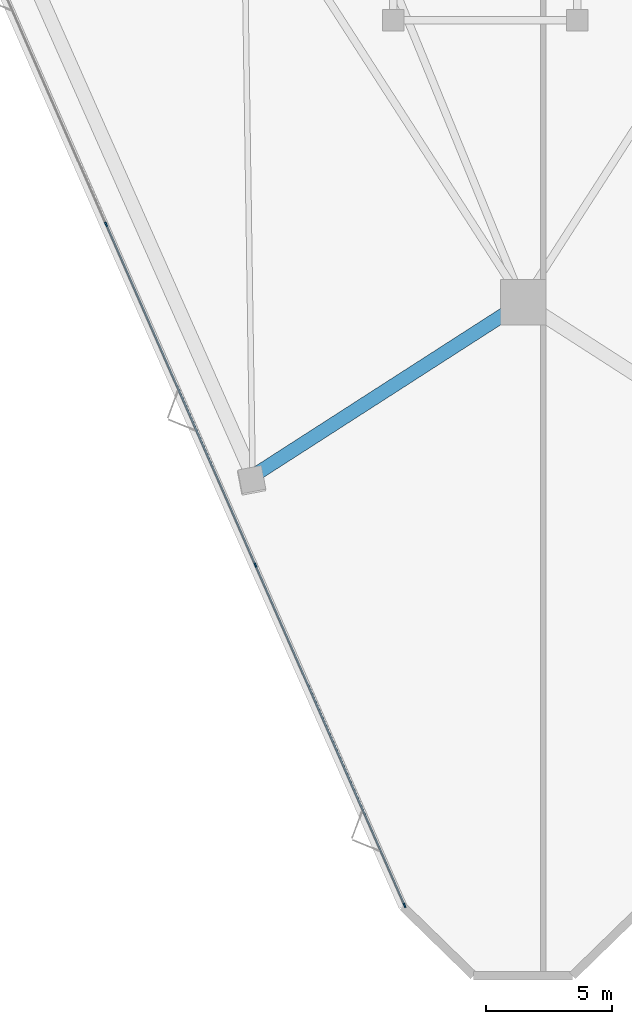
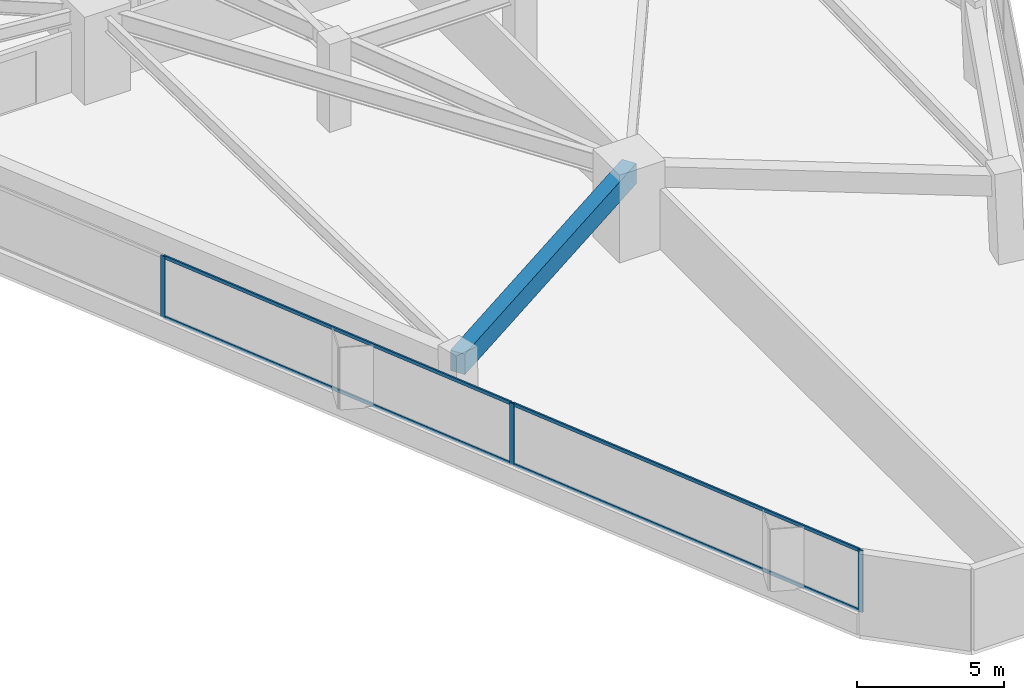
# One storey, part 2 of 20: 7 members, 1 beam, 1 element without a shape of its own.
"""IFC4 building model written with IfcOpenShell, lengths in metres."""

from ifc_helpers import new_model, si_unit, direction, frame, origin, origin_2d, place, context, subcontext, project, spatial, rectangle, extrude, material, layer, layer_set, material_profile, profile_set, type_object, element, aggregate, save


model = new_model("IFC4")

# Units and contexts
model_context = context("Model", 3, precision=1e-05, world=origin(), true_north=direction((0.0, 1.0)))
body_context = subcontext(model_context, "Body", "Model", "MODEL_VIEW")
ifc_project = project(units=[si_unit("LENGTHUNIT", "METRE"), si_unit("AREAUNIT", "SQUARE_METRE"), si_unit("VOLUMEUNIT", "CUBIC_METRE"), si_unit("PLANEANGLEUNIT", "RADIAN"), si_unit("MASSUNIT", "GRAM", prefix="KILO")], contexts=[model_context])

# Site, building, storey
site_placement = place(None, origin())
site = spatial("IfcSite", under=ifc_project, at=site_placement, CompositionType="ELEMENT")
building_placement = place(site_placement, origin())
building = spatial("IfcBuilding", under=site, at=building_placement, Name="Talyreon Biosciences Tower", CompositionType="ELEMENT")
storey_placement = place(building_placement, frame((0.0, 0.0, 30.10009765625)))
storey = spatial("IfcBuildingStorey", under=building, at=storey_placement, Name="L07", CompositionType="ELEMENT", Elevation=30.10009765625)

# Curtain wall, members
ifc_material_1 = material(Name="Thermally broken aluminium and low-E glazing", Category="aluminium")
ifc_layer = layer(ifc_material_1, 0.195068359375)
ifc_layer_set = layer_set([ifc_layer], Name="Thermally broken aluminium and low-E glazing")
curtain_wall_type = type_object("IfcCurtainWallType", Name="CurtainWall_Zone1WetLab", PredefinedType="NOTDEFINED", material=ifc_layer_set)
curtain_wall_placement = place(storey_placement, origin())
curtain_wall = element("IfcCurtainWall", 1, at=curtain_wall_placement, inside=storey, type_object=curtain_wall_type, Name="L07 Unitised Curtain Wall FCW-L07-00", PredefinedType="NOTDEFINED")
ifc_material_2 = material(Name="Anodised thermally broken aluminium", Category="aluminium")
ifc_material_profile_1 = material_profile(ifc_material_2, rectangle(XDim=0.06494140625, YDim=0.179931640625, at=origin_2d()), Name="ALUM MULLION 65x180")
ifc_profile_set_1 = profile_set([ifc_material_profile_1], Name="Anodised thermally broken aluminium")
member_type_1 = type_object("IfcMemberType", Name="CWMullion_65x180", PredefinedType="MULLION", material=ifc_profile_set_1)
member_1_placement = place(storey_placement, frame((61.29736328125, 17.751220703125, 0.809814453125), z_axis=(0.0, 0.0, 1.0), x_axis=(-0.915926900592, -0.401345129249, 0.0)))
member_1 = element("IfcMember", 2, at=member_1_placement, type_object=member_type_1, Name="CW2 mullion 1", PredefinedType="MULLION", context=body_context, shape_type="SweptSolid", body=[
    extrude(rectangle(XDim=0.06494140625, YDim=0.179931640625, at=origin_2d()), origin(), (0.0, 0.0, 1.0), 2.565185546875),
])
member_2_placement = place(storey_placement, frame((55.38818359375, 31.237060546875, 0.809814453125), z_axis=(0.0, 0.0, 1.0), x_axis=(-0.915926900592, -0.401345129249, 0.0)))
member_2 = element("IfcMember", 3, at=member_2_placement, type_object=member_type_1, Name="CW2 mullion 2", PredefinedType="MULLION", context=body_context, shape_type="SweptSolid", body=[
    extrude(rectangle(XDim=0.06494140625, YDim=0.179931640625, at=origin_2d()), origin(), (0.0, 0.0, 1.0), 2.565185546875),
])
member_3_placement = place(storey_placement, frame((49.4658203125, 44.752685546875, 0.809814453125), z_axis=(0.0, 0.0, 1.0), x_axis=(-0.915926900592, -0.401345129249, 0.0)))
member_3 = element("IfcMember", 4, at=member_3_placement, type_object=member_type_1, Name="CW2 mullion 3", PredefinedType="MULLION", context=body_context, shape_type="SweptSolid", body=[
    extrude(rectangle(XDim=0.06494140625, YDim=0.179931640625, at=origin_2d()), origin(), (0.0, 0.0, 1.0), 2.565185546875),
])
ifc_material_profile_2 = material_profile(ifc_material_2, rectangle(XDim=0.06494140625, YDim=0.139892578125, at=origin_2d()), Name="ALUM TRANSOM 65x140")
ifc_profile_set_2 = profile_set([ifc_material_profile_2], Name="Anodised thermally broken aluminium")
member_type_2 = type_object("IfcMemberType", Name="CWTransom_65x140", PredefinedType="USERDEFINED", material=ifc_profile_set_2)
member_4_placement = place(storey_placement, frame((61.284423828125, 17.781005859375, 0.84228515625), z_axis=(-0.401351725582, 0.915924010152, 0.0), x_axis=(-0.915924010152, -0.401351725582, 0.0)))
member_4 = element("IfcMember", 5, at=member_4_placement, type_object=member_type_2, Name="CW2 transom 1.1", ObjectType="TRANSOM", PredefinedType="USERDEFINED", context=body_context, shape_type="SweptSolid", body=[
    extrude(rectangle(XDim=0.06494140625, YDim=0.139892578125, at=origin_2d()), origin(), (0.0, 0.0, 1.0), 14.65869140625),
])
member_5_placement = place(storey_placement, frame((61.284423828125, 17.781005859375, 3.34228515625), z_axis=(-0.401351725582, 0.915924010152, 0.0), x_axis=(-0.915924010152, -0.401351725582, 0.0)))
member_5 = element("IfcMember", 6, at=member_5_placement, type_object=member_type_2, Name="CW2 transom 1.2", ObjectType="TRANSOM", PredefinedType="USERDEFINED", context=body_context, shape_type="SweptSolid", body=[
    extrude(rectangle(XDim=0.06494140625, YDim=0.139892578125, at=origin_2d()), origin(), (0.0, 0.0, 1.0), 14.65869140625),
])
member_6_placement = place(storey_placement, frame((55.375244140625, 31.266845703125, 0.84228515625), z_axis=(-0.401345318485, 0.915926817672, 0.0), x_axis=(-0.915926817672, -0.401345318485, 0.0)))
member_6 = element("IfcMember", 7, at=member_6_placement, type_object=member_type_2, Name="CW2 transom 2.1", ObjectType="TRANSOM", PredefinedType="USERDEFINED", context=body_context, shape_type="SweptSolid", body=[
    extrude(rectangle(XDim=0.06494140625, YDim=0.139892578125, at=origin_2d()), origin(), (0.0, 0.0, 1.0), 14.691162109375),
])
member_7_placement = place(storey_placement, frame((55.375244140625, 31.266845703125, 3.34228515625), z_axis=(-0.401345318485, 0.915926817672, 0.0), x_axis=(-0.915926817672, -0.401345318485, 0.0)))
member_7 = element("IfcMember", 8, at=member_7_placement, type_object=member_type_2, Name="CW2 transom 2.2", ObjectType="TRANSOM", PredefinedType="USERDEFINED", context=body_context, shape_type="SweptSolid", body=[
    extrude(rectangle(XDim=0.06494140625, YDim=0.139892578125, at=origin_2d()), origin(), (0.0, 0.0, 1.0), 14.691162109375),
])
aggregate(curtain_wall, [member_1, member_2, member_3, member_4, member_5, member_6, member_7])

# Beam
ifc_material_3 = material(Name="Precast concrete C45/55", Category="concrete")
ifc_material_profile_3 = material_profile(ifc_material_3, rectangle(XDim=0.550048828125, YDim=0.85009765625, at=origin_2d()), Name="RCB 550x850")
ifc_profile_set_3 = profile_set([ifc_material_profile_3], Name="Precast concrete C45/55")
beam_type = type_object("IfcBeamType", Name="ExpressedSpandrel_550x850", PredefinedType="SPANDREL", material=ifc_profile_set_3)
beam_placement = place(storey_placement, frame((55.274169921875, 34.76708984375, 2.949951171875), z_axis=(0.841009879269, 0.54101976209, 0.0), x_axis=(-0.54101976209, 0.841009879269, 0.0)))
element("IfcBeam", 9, at=beam_placement, inside=storey, type_object=beam_type, Name="L07 Expressed Horizontal Concrete Spandrel 12", PredefinedType="SPANDREL", context=body_context, shape_type="SweptSolid", body=[
    extrude(rectangle(XDim=0.550048828125, YDim=0.85009765625, at=origin_2d()), origin(), (0.0, 0.0, 1.0), 12.75341796875),
])

save(model, "model.ifc")
